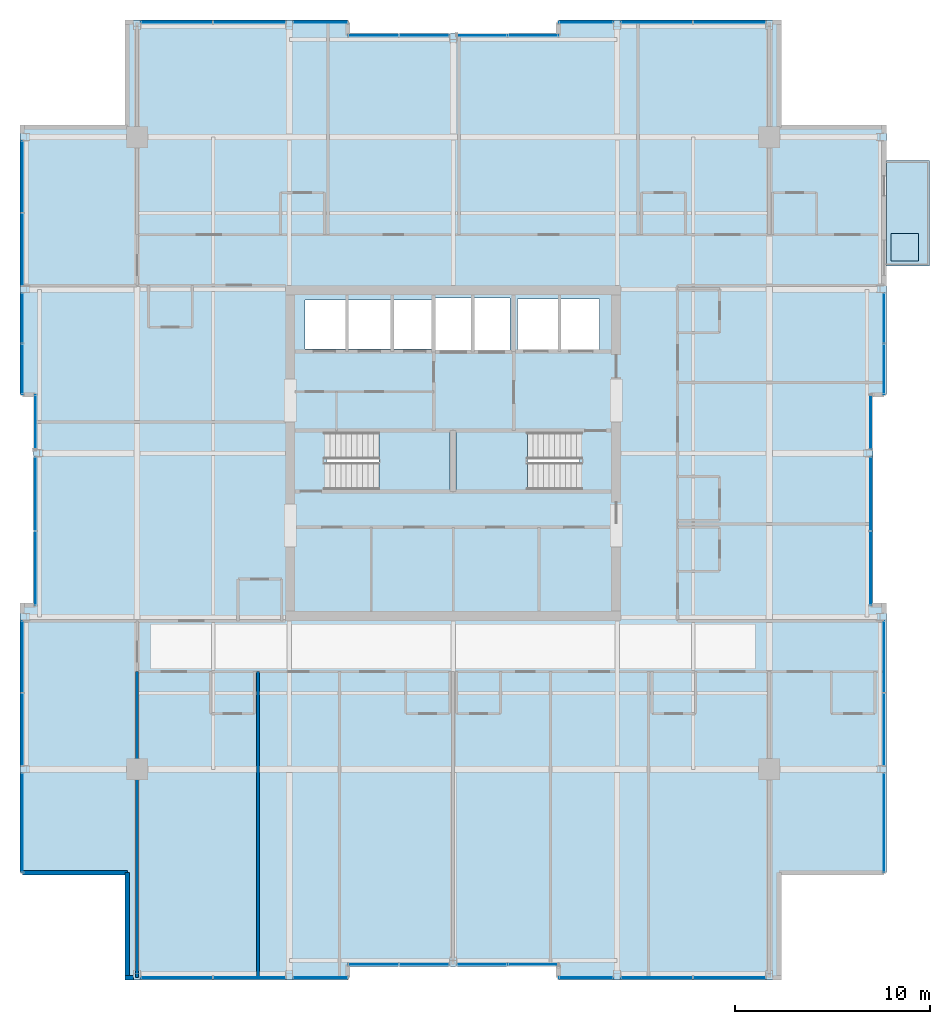
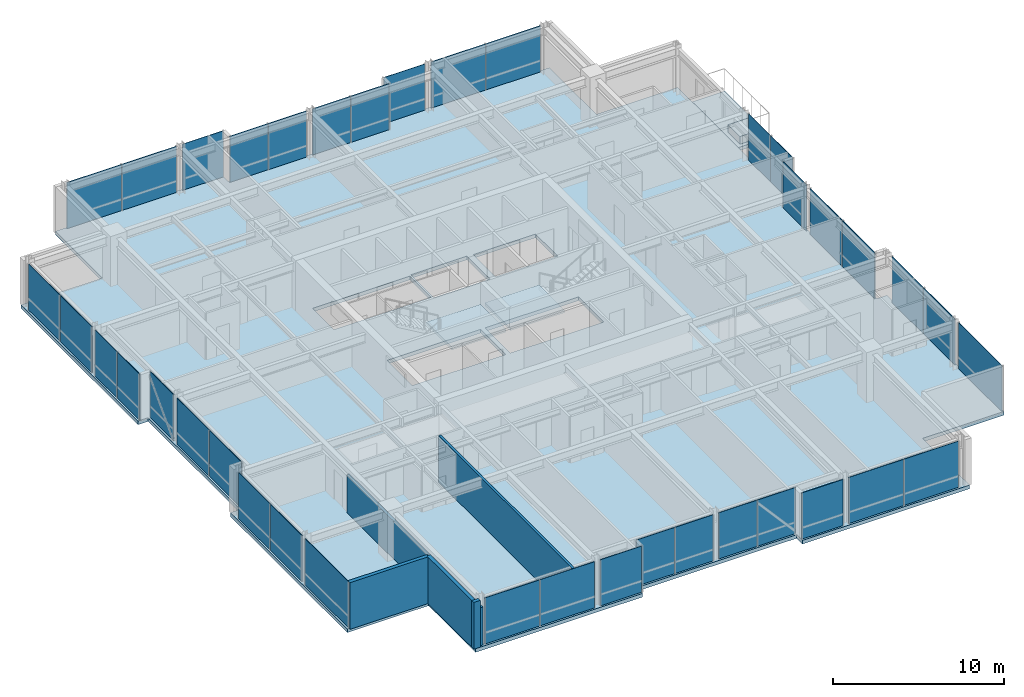
# One storey, part 26 of 33: 38 plates, 5 slabs, 5 walls, 25 elements without a shape of their own.
"""IFC4 building model written with IfcOpenShell, lengths in metres."""

from ifc_helpers import new_model, si_unit, direction, frame, frame_2d, origin, origin_2d, place, context, subcontext, project, spatial, polyline, rectangle, outline, extrude, material, layer, layer_set, type_object, element, aggregate, save


model = new_model("IFC4")

# Units and contexts
model_context = context("Model", 3, precision=1e-05, world=origin(), true_north=direction((0.0, 1.0)))
body_context = subcontext(model_context, "Body", "Model", "MODEL_VIEW")
ifc_project = project(units=[si_unit("LENGTHUNIT", "METRE"), si_unit("AREAUNIT", "SQUARE_METRE"), si_unit("VOLUMEUNIT", "CUBIC_METRE"), si_unit("PLANEANGLEUNIT", "RADIAN"), si_unit("MASSUNIT", "GRAM", prefix="KILO")], contexts=[model_context])

# Site, building, storey
site_placement = place(None, origin())
site = spatial("IfcSite", under=ifc_project, at=site_placement, CompositionType="ELEMENT")
building_placement = place(site_placement, origin())
building = spatial("IfcBuilding", under=site, at=building_placement, Name="Drelvath Grand Hotel", CompositionType="ELEMENT")
storey_placement = place(building_placement, frame((0.0, 0.0, 248.300048828125)))
storey = spatial("IfcBuildingStorey", under=building, at=storey_placement, Name="L65", CompositionType="ELEMENT", Elevation=248.300048828125)

# Slabs
ifc_material_1 = material(Name="Concrete f'c 40 MPa", Category="concrete")
ifc_layer_1 = layer(ifc_material_1, 0.239990234375)
ifc_layer_set_1 = layer_set([ifc_layer_1], Name="Concrete f'c 40 MPa")
slab_type_1 = type_object("IfcSlabType", Name="Cantilevered Tree Balcony Slab 240", PredefinedType="FLOOR", material=ifc_layer_set_1)
slab_1_placement = place(storey_placement, frame((0.0, 0.0, -0.239990234375)))
element("IfcSlab", 1, at=slab_1_placement, inside=storey, type_object=slab_type_1, Name="L65 Cantilevered Tree Balcony Slab 1", PredefinedType="FLOOR", context=body_context, shape_type="SweptSolid", body=[
    extrude(outline(polyline([(22.199951171875, 36.60009765625), (24.39990234375, 36.60009765625), (24.39990234375, 42.0), (22.199951171875, 42.0), (22.199951171875, 36.60009765625)])), origin(), (0.0, 0.0, 1.0), 0.239990234375),
])
ifc_layer_2 = layer(ifc_material_1, 0.260009765625)
ifc_layer_set_2 = layer_set([ifc_layer_2], Name="Concrete f'c 40 MPa")
slab_type_2 = type_object("IfcSlabType", Name="Composite RC Floor Slab 260", PredefinedType="FLOOR", material=ifc_layer_set_2)
slab_2_placement = place(storey_placement, frame((0.0, 0.0, -0.260009765625)))
element("IfcSlab", 2, at=slab_2_placement, inside=storey, type_object=slab_type_2, Name="L65 Structural Floor Slab", PredefinedType="FLOOR", context=body_context, shape_type="SweptSolid", body=[
    extrude(outline(polyline([(-16.699951171875, 0.0), (-5.39990234375, 0.0), (-5.39990234375, 0.679931640625), (5.39990234375, 0.679931640625), (5.39990234375, 0.0), (16.699951171875, 0.0), (16.699951171875, 5.5), (22.199951171875, 5.5), (22.199951171875, 19.199951171875), (21.52001953125, 19.199951171875), (21.52001953125, 30.0), (22.199951171875, 30.0), (22.199951171875, 43.699951171875), (16.699951171875, 43.699951171875), (16.699951171875, 49.199951171875), (5.39990234375, 49.199951171875), (5.39990234375, 48.52001953125), (-5.39990234375, 48.52001953125), (-5.39990234375, 49.199951171875), (-16.699951171875, 49.199951171875), (-16.699951171875, 43.699951171875), (-22.199951171875, 43.699951171875), (-22.199951171875, 30.0), (-21.52001953125, 30.0), (-21.52001953125, 19.199951171875), (-22.199951171875, 19.199951171875), (-22.199951171875, 5.5), (-16.699951171875, 5.5), (-16.699951171875, 0.0)]), holes=[polyline([(-6.47998046875, 25.1201171875), (-6.47998046875, 28.080078125), (-0.14990234375, 28.080078125), (-0.14990234375, 25.1201171875), (-6.47998046875, 25.1201171875)]), polyline([(0.14990234375, 25.1201171875), (0.14990234375, 28.080078125), (6.47998046875, 28.080078125), (6.47998046875, 25.1201171875), (0.14990234375, 25.1201171875)]), polyline([(-7.60009765625, 32.35009765625), (-7.60009765625, 34.85009765625), (-1.02001953125, 34.85009765625), (-1.02001953125, 32.35009765625), (-7.60009765625, 32.35009765625)]), polyline([(-0.89990234375, 32.25), (-0.89990234375, 34.949951171875), (2.89990234375, 34.949951171875), (2.89990234375, 32.25), (-0.89990234375, 32.25)]), polyline([(3.300048828125, 32.300048828125), (3.300048828125, 34.89990234375), (7.5, 34.89990234375), (7.5, 32.300048828125), (3.300048828125, 32.300048828125)])]), origin(), (0.0, 0.0, 1.0), 0.260009765625),
])

# Stair, slab
ifc_material_2 = material(Name="Concrete C40/50", Category="concrete")
stair_type = type_object("IfcStairType", Name="Dogleg Exit Stair W1400-R163.6", PredefinedType="HALF_TURN_STAIR", material=ifc_material_2)
stair_1_placement = place(storey_placement, origin())
stair_1 = element("IfcStair", 3, at=stair_1_placement, inside=storey, type_object=stair_type, Name="L65 Core Exit Stair ST-1", PredefinedType="HALF_TURN_STAIR")
ifc_layer_3 = layer(ifc_material_2, 0.199951171875)
ifc_layer_set_3 = layer_set([ifc_layer_3], Name="Concrete C40/50")
slab_type_3 = type_object("IfcSlabType", Name="Concrete Stair Landing Slab 200", PredefinedType="LANDING", material=ifc_layer_set_3)
slab_3_placement = place(storey_placement, frame((0.0, 0.0, 1.599853515625)))
slab_3 = element("IfcSlab", 4, at=slab_3_placement, type_object=slab_type_3, Name="ST-1 landing 1", PredefinedType="LANDING", context=body_context, shape_type="SweptSolid", body=[
    extrude(outline(polyline([(-3.800048828125, 25.1201171875), (-0.14990234375, 25.1201171875), (-0.14990234375, 28.080078125), (-3.800048828125, 28.080078125), (-3.800048828125, 25.1201171875)])), origin(), (0.0, 0.0, 1.0), 0.2001953125),
])
aggregate(stair_1, [slab_3])

stair_2_placement = place(storey_placement, origin())
stair_2 = element("IfcStair", 5, at=stair_2_placement, inside=storey, type_object=stair_type, Name="L65 Core Exit Stair ST-2", PredefinedType="HALF_TURN_STAIR")
slab_4_placement = place(storey_placement, frame((0.0, 0.0, 1.599853515625)))
slab_4 = element("IfcSlab", 6, at=slab_4_placement, type_object=slab_type_3, Name="ST-2 landing 1", PredefinedType="LANDING", context=body_context, shape_type="SweptSolid", body=[
    extrude(outline(polyline([(3.800048828125, 28.080078125), (0.14990234375, 28.080078125), (0.14990234375, 25.1201171875), (3.800048828125, 25.1201171875), (3.800048828125, 28.080078125)])), origin(), (0.0, 0.0, 1.0), 0.2001953125),
])
aggregate(stair_2, [slab_4])

# Curtain wall, plate
ifc_material_3 = material(Name="Platinum-Mist Anodised Aluminium Frame", Category="aluminium")
ifc_layer_4 = layer(ifc_material_3, 0.199951171875)
ifc_layer_set_4 = layer_set([ifc_layer_4], Name="Platinum-Mist Anodised Aluminium Frame")
curtain_wall_type = type_object("IfcCurtainWallType", Name="Stick Curtain Wall CW-05 Platinum Mist High-Rise", PredefinedType="NOTDEFINED", material=ifc_layer_set_4)
curtain_wall_1_placement = place(storey_placement, origin())
curtain_wall_1 = element("IfcCurtainWall", 7, at=curtain_wall_1_placement, inside=storey, type_object=curtain_wall_type, Name="L65 CW-05 Curtain Wall CW05-L65-WS1", PredefinedType="NOTDEFINED")
ifc_material_4 = material(Name="Low-E Triple Silver High-Altitude Glass", Category="glass")
ifc_layer_5 = layer(ifc_material_4, 0.035888671875)
ifc_layer_set_5 = layer_set([ifc_layer_5], Name="Low-E Triple Silver High-Altitude Glass")
plate_type = type_object("IfcPlateType", Name="Curtain Wall Vision Panel CW-05 36mm", PredefinedType="CURTAIN_PANEL", material=ifc_layer_set_5)
plate_1_placement = place(storey_placement, frame((-22.080078125, 8.060791015625, 0.02001953125), z_axis=(0.0, 0.0, 1.0), x_axis=(0.0, 1.0, 0.0)))
plate_1 = element("IfcPlate", 8, at=plate_1_placement, type_object=plate_type, Name="CW05-L65-WS1 Glazed Panel 1", PredefinedType="CURTAIN_PANEL", context=body_context, shape_type="SweptSolid", body=[
    extrude(rectangle(XDim=5.081787109375, YDim=0.035888671875, at=origin_2d()), origin(), (0.0, 0.0, 1.0), 3.300048828125),
])
aggregate(curtain_wall_1, [plate_1])

# Curtain wall, plates
curtain_wall_2_placement = place(storey_placement, origin())
curtain_wall_2 = element("IfcCurtainWall", 9, at=curtain_wall_2_placement, inside=storey, type_object=curtain_wall_type, Name="L65 CW-05 Curtain Wall CW05-L65-WS2", PredefinedType="NOTDEFINED")
plate_2_placement = place(storey_placement, frame((-22.080078125, 12.839111328125, 0.02001953125), z_axis=(0.0, 0.0, 1.0), x_axis=(0.0, 1.0, 0.0)))
plate_2 = element("IfcPlate", 10, at=plate_2_placement, type_object=plate_type, Name="CW05-L65-WS2 Glazed Panel 1", PredefinedType="CURTAIN_PANEL", context=body_context, shape_type="SweptSolid", body=[
    extrude(rectangle(XDim=3.681884765625, YDim=0.035888671875, at=origin_2d()), origin(), (0.0, 0.0, 1.0), 3.300048828125),
])
plate_3_placement = place(storey_placement, frame((-22.080078125, 16.560791015625, 0.02001953125), z_axis=(0.0, 0.0, 1.0), x_axis=(0.0, 1.0, 0.0)))
plate_3 = element("IfcPlate", 11, at=plate_3_placement, type_object=plate_type, Name="CW05-L65-WS2 Glazed Panel 2", PredefinedType="CURTAIN_PANEL", context=body_context, shape_type="SweptSolid", body=[
    extrude(rectangle(XDim=3.681884765625, YDim=0.035888671875, at=origin_2d()), origin(), (0.0, 0.0, 1.0), 3.300048828125),
])
aggregate(curtain_wall_2, [plate_2, plate_3])

curtain_wall_3_placement = place(storey_placement, origin())
curtain_wall_3 = element("IfcCurtainWall", 12, at=curtain_wall_3_placement, inside=storey, type_object=curtain_wall_type, Name="L65 CW-05 Curtain Wall CW05-L65-WM1", PredefinedType="NOTDEFINED")
plate_4_placement = place(storey_placement, frame((-21.39990234375, 21.10546875, 0.02001953125), z_axis=(0.0, 0.0, 1.0), x_axis=(0.0, 1.0, 0.0)))
plate_4 = element("IfcPlate", 13, at=plate_4_placement, type_object=plate_type, Name="CW05-L65-WM1 Glazed Panel 1", PredefinedType="CURTAIN_PANEL", context=body_context, shape_type="SweptSolid", body=[
    extrude(rectangle(XDim=3.77099609375, YDim=0.035888671875, at=origin_2d()), origin(), (0.0, 0.0, 1.0), 3.300048828125),
])
plate_5_placement = place(storey_placement, frame((-21.39990234375, 24.91650390625, 0.02001953125), z_axis=(0.0, 0.0, 1.0), x_axis=(0.0, 1.0, 0.0)))
plate_5 = element("IfcPlate", 14, at=plate_5_placement, type_object=plate_type, Name="CW05-L65-WM1 Glazed Panel 2", PredefinedType="CURTAIN_PANEL", context=body_context, shape_type="SweptSolid", body=[
    extrude(rectangle(XDim=3.77099609375, YDim=0.035888671875, at=origin_2d()), origin(), (0.0, 0.0, 1.0), 3.300048828125),
])
aggregate(curtain_wall_3, [plate_4, plate_5])

# Curtain wall, plate
curtain_wall_4_placement = place(storey_placement, origin())
curtain_wall_4 = element("IfcCurtainWall", 15, at=curtain_wall_4_placement, inside=storey, type_object=curtain_wall_type, Name="L65 CW-05 Curtain Wall CW05-L65-WM2", PredefinedType="NOTDEFINED")
plate_6_placement = place(storey_placement, frame((-21.39990234375, 28.589111328125, 0.02001953125), z_axis=(0.0, 0.0, 1.0), x_axis=(0.0, 1.0, 0.0)))
plate_6 = element("IfcPlate", 16, at=plate_6_placement, type_object=plate_type, Name="CW05-L65-WM2 Glazed Panel 1", PredefinedType="CURTAIN_PANEL", context=body_context, shape_type="SweptSolid", body=[
    extrude(rectangle(XDim=2.78173828125, YDim=0.035888671875, at=origin_2d()), origin(), (0.0, 0.0, 1.0), 3.300048828125),
])
aggregate(curtain_wall_4, [plate_6])

# Curtain wall, plates
curtain_wall_5_placement = place(storey_placement, origin())
curtain_wall_5 = element("IfcCurtainWall", 17, at=curtain_wall_5_placement, inside=storey, type_object=curtain_wall_type, Name="L65 CW-05 Curtain Wall CW05-L65-WN1", PredefinedType="NOTDEFINED")
plate_7_placement = place(storey_placement, frame((-22.080078125, 31.305419921875, 0.02001953125), z_axis=(0.0, 0.0, 1.0), x_axis=(0.0, 1.0, 0.0)))
plate_7 = element("IfcPlate", 18, at=plate_7_placement, type_object=plate_type, Name="CW05-L65-WN1 Glazed Panel 1", PredefinedType="CURTAIN_PANEL", context=body_context, shape_type="SweptSolid", body=[
    extrude(rectangle(XDim=2.57080078125, YDim=0.035888671875, at=origin_2d()), origin(), (0.0, 0.0, 1.0), 3.300048828125),
])
plate_8_placement = place(storey_placement, frame((-22.080078125, 33.91650390625, 0.02001953125), z_axis=(0.0, 0.0, 1.0), x_axis=(0.0, 1.0, 0.0)))
plate_8 = element("IfcPlate", 19, at=plate_8_placement, type_object=plate_type, Name="CW05-L65-WN1 Glazed Panel 2", PredefinedType="CURTAIN_PANEL", context=body_context, shape_type="SweptSolid", body=[
    extrude(rectangle(XDim=2.57080078125, YDim=0.035888671875, at=origin_2d()), origin(), (0.0, 0.0, 1.0), 3.300048828125),
])
aggregate(curtain_wall_5, [plate_7, plate_8])

curtain_wall_6_placement = place(storey_placement, origin())
curtain_wall_6 = element("IfcCurtainWall", 20, at=curtain_wall_6_placement, inside=storey, type_object=curtain_wall_type, Name="L65 CW-05 Curtain Wall CW05-L65-WN2", PredefinedType="NOTDEFINED")
plate_9_placement = place(storey_placement, frame((-22.080078125, 37.439208984375, 0.02001953125), z_axis=(0.0, 0.0, 1.0), x_axis=(0.0, 1.0, 0.0)))
plate_9 = element("IfcPlate", 21, at=plate_9_placement, type_object=plate_type, Name="CW05-L65-WN2 Glazed Panel 1", PredefinedType="CURTAIN_PANEL", context=body_context, shape_type="SweptSolid", body=[
    extrude(rectangle(XDim=3.681884765625, YDim=0.035888671875, at=origin_2d()), origin(), (0.0, 0.0, 1.0), 3.300048828125),
])
plate_10_placement = place(storey_placement, frame((-22.080078125, 41.160888671875, 0.02001953125), z_axis=(0.0, 0.0, 1.0), x_axis=(0.0, 1.0, 0.0)))
plate_10 = element("IfcPlate", 22, at=plate_10_placement, type_object=plate_type, Name="CW05-L65-WN2 Glazed Panel 2", PredefinedType="CURTAIN_PANEL", context=body_context, shape_type="SweptSolid", body=[
    extrude(rectangle(XDim=3.681884765625, YDim=0.035888671875, at=origin_2d()), origin(), (0.0, 0.0, 1.0), 3.300048828125),
])
aggregate(curtain_wall_6, [plate_9, plate_10])

curtain_wall_7_placement = place(storey_placement, origin())
curtain_wall_7 = element("IfcCurtainWall", 23, at=curtain_wall_7_placement, inside=storey, type_object=curtain_wall_type, Name="L65 CW-05 Curtain Wall CW05-L65-EN1", PredefinedType="NOTDEFINED")
plate_11_placement = place(storey_placement, frame((22.080078125, 33.91650390625, 0.02001953125), z_axis=(0.0, 0.0, 1.0), x_axis=(0.0, -1.0, 0.0)))
plate_11 = element("IfcPlate", 24, at=plate_11_placement, type_object=plate_type, Name="CW05-L65-EN1 Glazed Panel 1", PredefinedType="CURTAIN_PANEL", context=body_context, shape_type="SweptSolid", body=[
    extrude(rectangle(XDim=2.57080078125, YDim=0.035888671875, at=origin_2d()), origin(), (0.0, 0.0, 1.0), 3.300048828125),
])
plate_12_placement = place(storey_placement, frame((22.080078125, 31.305419921875, 0.02001953125), z_axis=(0.0, 0.0, 1.0), x_axis=(0.0, -1.0, 0.0)))
plate_12 = element("IfcPlate", 25, at=plate_12_placement, type_object=plate_type, Name="CW05-L65-EN1 Glazed Panel 2", PredefinedType="CURTAIN_PANEL", context=body_context, shape_type="SweptSolid", body=[
    extrude(rectangle(XDim=2.57080078125, YDim=0.035888671875, at=origin_2d()), origin(), (0.0, 0.0, 1.0), 3.300048828125),
])
aggregate(curtain_wall_7, [plate_11, plate_12])

curtain_wall_8_placement = place(storey_placement, origin())
curtain_wall_8 = element("IfcCurtainWall", 26, at=curtain_wall_8_placement, inside=storey, type_object=curtain_wall_type, Name="L65 CW-05 Curtain Wall CW05-L65-EM1", PredefinedType="NOTDEFINED")
plate_13_placement = place(storey_placement, frame((21.39990234375, 24.91650390625, 0.02001953125), z_axis=(0.0, 0.0, 1.0), x_axis=(0.0, -1.0, 0.0)))
plate_13 = element("IfcPlate", 27, at=plate_13_placement, type_object=plate_type, Name="CW05-L65-EM1 Glazed Panel 1", PredefinedType="CURTAIN_PANEL", context=body_context, shape_type="SweptSolid", body=[
    extrude(rectangle(XDim=3.77099609375, YDim=0.035888671875, at=origin_2d()), origin(), (0.0, 0.0, 1.0), 3.300048828125),
])
plate_14_placement = place(storey_placement, frame((21.39990234375, 21.10546875, 0.02001953125), z_axis=(0.0, 0.0, 1.0), x_axis=(0.0, -1.0, 0.0)))
plate_14 = element("IfcPlate", 28, at=plate_14_placement, type_object=plate_type, Name="CW05-L65-EM1 Glazed Panel 2", PredefinedType="CURTAIN_PANEL", context=body_context, shape_type="SweptSolid", body=[
    extrude(rectangle(XDim=3.77099609375, YDim=0.035888671875, at=origin_2d()), origin(), (0.0, 0.0, 1.0), 3.300048828125),
])
aggregate(curtain_wall_8, [plate_13, plate_14])

# Curtain wall, plate
curtain_wall_9_placement = place(storey_placement, origin())
curtain_wall_9 = element("IfcCurtainWall", 29, at=curtain_wall_9_placement, inside=storey, type_object=curtain_wall_type, Name="L65 CW-05 Curtain Wall CW05-L65-EM2", PredefinedType="NOTDEFINED")
plate_15_placement = place(storey_placement, frame((21.39990234375, 28.589111328125, 0.02001953125), z_axis=(0.0, 0.0, 1.0), x_axis=(0.0, -1.0, 0.0)))
plate_15 = element("IfcPlate", 30, at=plate_15_placement, type_object=plate_type, Name="CW05-L65-EM2 Glazed Panel 1", PredefinedType="CURTAIN_PANEL", context=body_context, shape_type="SweptSolid", body=[
    extrude(rectangle(XDim=2.78173828125, YDim=0.035888671875, at=origin_2d()), origin(), (0.0, 0.0, 1.0), 3.300048828125),
])
aggregate(curtain_wall_9, [plate_15])

curtain_wall_10_placement = place(storey_placement, origin())
curtain_wall_10 = element("IfcCurtainWall", 31, at=curtain_wall_10_placement, inside=storey, type_object=curtain_wall_type, Name="L65 CW-05 Curtain Wall CW05-L65-ES1", PredefinedType="NOTDEFINED")
plate_16_placement = place(storey_placement, frame((22.080078125, 8.060791015625, 0.02001953125), z_axis=(0.0, 0.0, 1.0), x_axis=(0.0, -1.0, 0.0)))
plate_16 = element("IfcPlate", 32, at=plate_16_placement, type_object=plate_type, Name="CW05-L65-ES1 Glazed Panel 1", PredefinedType="CURTAIN_PANEL", context=body_context, shape_type="SweptSolid", body=[
    extrude(rectangle(XDim=5.081787109375, YDim=0.035888671875, at=origin_2d()), origin(), (0.0, 0.0, 1.0), 3.300048828125),
])
aggregate(curtain_wall_10, [plate_16])

# Curtain wall, plates
curtain_wall_11_placement = place(storey_placement, origin())
curtain_wall_11 = element("IfcCurtainWall", 33, at=curtain_wall_11_placement, inside=storey, type_object=curtain_wall_type, Name="L65 CW-05 Curtain Wall CW05-L65-ES2", PredefinedType="NOTDEFINED")
plate_17_placement = place(storey_placement, frame((22.080078125, 16.560791015625, 0.02001953125), z_axis=(0.0, 0.0, 1.0), x_axis=(0.0, -1.0, 0.0)))
plate_17 = element("IfcPlate", 34, at=plate_17_placement, type_object=plate_type, Name="CW05-L65-ES2 Glazed Panel 1", PredefinedType="CURTAIN_PANEL", context=body_context, shape_type="SweptSolid", body=[
    extrude(rectangle(XDim=3.681884765625, YDim=0.035888671875, at=origin_2d()), origin(), (0.0, 0.0, 1.0), 3.300048828125),
])
plate_18_placement = place(storey_placement, frame((22.080078125, 12.839111328125, 0.02001953125), z_axis=(0.0, 0.0, 1.0), x_axis=(0.0, -1.0, 0.0)))
plate_18 = element("IfcPlate", 35, at=plate_18_placement, type_object=plate_type, Name="CW05-L65-ES2 Glazed Panel 2", PredefinedType="CURTAIN_PANEL", context=body_context, shape_type="SweptSolid", body=[
    extrude(rectangle(XDim=3.681884765625, YDim=0.035888671875, at=origin_2d()), origin(), (0.0, 0.0, 1.0), 3.300048828125),
])
aggregate(curtain_wall_11, [plate_17, plate_18])

curtain_wall_12_placement = place(storey_placement, origin())
curtain_wall_12 = element("IfcCurtainWall", 36, at=curtain_wall_12_placement, inside=storey, type_object=curtain_wall_type, Name="L65 CW-05 Curtain Wall CW05-L65-NW2", PredefinedType="NOTDEFINED")
plate_19_placement = place(storey_placement, frame((-14.160888671875, 49.080078125, 0.02001953125), z_axis=(0.0, 0.0, 1.0), x_axis=(1.0, 0.0, 0.0)))
plate_19 = element("IfcPlate", 37, at=plate_19_placement, type_object=plate_type, Name="CW05-L65-NW2 Glazed Panel 1", PredefinedType="CURTAIN_PANEL", context=body_context, shape_type="SweptSolid", body=[
    extrude(rectangle(XDim=3.681884765625, YDim=0.035888671875, at=origin_2d()), origin(), (0.0, 0.0, 1.0), 3.300048828125),
])
plate_20_placement = place(storey_placement, frame((-10.439208984375, 49.080078125, 0.02001953125), z_axis=(0.0, 0.0, 1.0), x_axis=(1.0, 0.0, 0.0)))
plate_20 = element("IfcPlate", 38, at=plate_20_placement, type_object=plate_type, Name="CW05-L65-NW2 Glazed Panel 2", PredefinedType="CURTAIN_PANEL", context=body_context, shape_type="SweptSolid", body=[
    extrude(rectangle(XDim=3.681884765625, YDim=0.035888671875, at=origin_2d()), origin(), (0.0, 0.0, 1.0), 3.300048828125),
])
aggregate(curtain_wall_12, [plate_19, plate_20])

# Curtain wall, plate
curtain_wall_13_placement = place(storey_placement, origin())
curtain_wall_13 = element("IfcCurtainWall", 39, at=curtain_wall_13_placement, inside=storey, type_object=curtain_wall_type, Name="L65 CW-05 Curtain Wall CW05-L65-NW3", PredefinedType="NOTDEFINED")
plate_21_placement = place(storey_placement, frame((-6.810791015625, 49.080078125, 0.02001953125), z_axis=(0.0, 0.0, 1.0), x_axis=(1.0, 0.0, 0.0)))
plate_21 = element("IfcPlate", 40, at=plate_21_placement, type_object=plate_type, Name="CW05-L65-NW3 Glazed Panel 1", PredefinedType="CURTAIN_PANEL", context=body_context, shape_type="SweptSolid", body=[
    extrude(rectangle(XDim=2.78173828125, YDim=0.035888671875, at=origin_2d()), origin(), (0.0, 0.0, 1.0), 3.300048828125),
])
aggregate(curtain_wall_13, [plate_21])

# Curtain wall, plates
curtain_wall_14_placement = place(storey_placement, origin())
curtain_wall_14 = element("IfcCurtainWall", 41, at=curtain_wall_14_placement, inside=storey, type_object=curtain_wall_type, Name="L65 CW-05 Curtain Wall CW05-L65-NM1", PredefinedType="NOTDEFINED")
plate_22_placement = place(storey_placement, frame((-4.094482421875, 48.39990234375, 0.02001953125), z_axis=(0.0, 0.0, 1.0), x_axis=(1.0, 0.0, 0.0)))
plate_22 = element("IfcPlate", 42, at=plate_22_placement, type_object=plate_type, Name="CW05-L65-NM1 Glazed Panel 1", PredefinedType="CURTAIN_PANEL", context=body_context, shape_type="SweptSolid", body=[
    extrude(rectangle(XDim=2.57080078125, YDim=0.035888671875, at=origin_2d()), origin(), (0.0, 0.0, 1.0), 3.300048828125),
])
plate_23_placement = place(storey_placement, frame((-1.483642578125, 48.39990234375, 0.02001953125), z_axis=(0.0, 0.0, 1.0), x_axis=(1.0, 0.0, 0.0)))
plate_23 = element("IfcPlate", 43, at=plate_23_placement, type_object=plate_type, Name="CW05-L65-NM1 Glazed Panel 2", PredefinedType="CURTAIN_PANEL", context=body_context, shape_type="SweptSolid", body=[
    extrude(rectangle(XDim=2.57080078125, YDim=0.035888671875, at=origin_2d()), origin(), (0.0, 0.0, 1.0), 3.300048828125),
])
aggregate(curtain_wall_14, [plate_22, plate_23])

curtain_wall_15_placement = place(storey_placement, origin())
curtain_wall_15 = element("IfcCurtainWall", 44, at=curtain_wall_15_placement, inside=storey, type_object=curtain_wall_type, Name="L65 CW-05 Curtain Wall CW05-L65-NM2", PredefinedType="NOTDEFINED")
plate_24_placement = place(storey_placement, frame((1.483642578125, 48.39990234375, 0.02001953125), z_axis=(0.0, 0.0, 1.0), x_axis=(1.0, 0.0, 0.0)))
plate_24 = element("IfcPlate", 45, at=plate_24_placement, type_object=plate_type, Name="CW05-L65-NM2 Glazed Panel 1", PredefinedType="CURTAIN_PANEL", context=body_context, shape_type="SweptSolid", body=[
    extrude(rectangle(XDim=2.57080078125, YDim=0.035888671875, at=origin_2d()), origin(), (0.0, 0.0, 1.0), 3.300048828125),
])
plate_25_placement = place(storey_placement, frame((4.094482421875, 48.39990234375, 0.02001953125), z_axis=(0.0, 0.0, 1.0), x_axis=(1.0, 0.0, 0.0)))
plate_25 = element("IfcPlate", 46, at=plate_25_placement, type_object=plate_type, Name="CW05-L65-NM2 Glazed Panel 2", PredefinedType="CURTAIN_PANEL", context=body_context, shape_type="SweptSolid", body=[
    extrude(rectangle(XDim=2.57080078125, YDim=0.035888671875, at=origin_2d()), origin(), (0.0, 0.0, 1.0), 3.300048828125),
])
aggregate(curtain_wall_15, [plate_24, plate_25])

# Curtain wall, plate
curtain_wall_16_placement = place(storey_placement, origin())
curtain_wall_16 = element("IfcCurtainWall", 47, at=curtain_wall_16_placement, inside=storey, type_object=curtain_wall_type, Name="L65 CW-05 Curtain Wall CW05-L65-NE1", PredefinedType="NOTDEFINED")
plate_26_placement = place(storey_placement, frame((6.810791015625, 49.080078125, 0.02001953125), z_axis=(0.0, 0.0, 1.0), x_axis=(1.0, 0.0, 0.0)))
plate_26 = element("IfcPlate", 48, at=plate_26_placement, type_object=plate_type, Name="CW05-L65-NE1 Glazed Panel 1", PredefinedType="CURTAIN_PANEL", context=body_context, shape_type="SweptSolid", body=[
    extrude(rectangle(XDim=2.78173828125, YDim=0.035888671875, at=origin_2d()), origin(), (0.0, 0.0, 1.0), 3.300048828125),
])
aggregate(curtain_wall_16, [plate_26])

# Curtain wall, plates
curtain_wall_17_placement = place(storey_placement, origin())
curtain_wall_17 = element("IfcCurtainWall", 49, at=curtain_wall_17_placement, inside=storey, type_object=curtain_wall_type, Name="L65 CW-05 Curtain Wall CW05-L65-NE2", PredefinedType="NOTDEFINED")
plate_27_placement = place(storey_placement, frame((10.439208984375, 49.080078125, 0.02001953125), z_axis=(0.0, 0.0, 1.0), x_axis=(1.0, 0.0, 0.0)))
plate_27 = element("IfcPlate", 50, at=plate_27_placement, type_object=plate_type, Name="CW05-L65-NE2 Glazed Panel 1", PredefinedType="CURTAIN_PANEL", context=body_context, shape_type="SweptSolid", body=[
    extrude(rectangle(XDim=3.681884765625, YDim=0.035888671875, at=origin_2d()), origin(), (0.0, 0.0, 1.0), 3.300048828125),
])
plate_28_placement = place(storey_placement, frame((14.160888671875, 49.080078125, 0.02001953125), z_axis=(0.0, 0.0, 1.0), x_axis=(1.0, 0.0, 0.0)))
plate_28 = element("IfcPlate", 51, at=plate_28_placement, type_object=plate_type, Name="CW05-L65-NE2 Glazed Panel 2", PredefinedType="CURTAIN_PANEL", context=body_context, shape_type="SweptSolid", body=[
    extrude(rectangle(XDim=3.681884765625, YDim=0.035888671875, at=origin_2d()), origin(), (0.0, 0.0, 1.0), 3.300048828125),
])
aggregate(curtain_wall_17, [plate_27, plate_28])

# Curtain wall, plate
curtain_wall_18_placement = place(storey_placement, origin())
curtain_wall_18 = element("IfcCurtainWall", 52, at=curtain_wall_18_placement, inside=storey, type_object=curtain_wall_type, Name="L65 CW-05 Curtain Wall CW05-L65-SE1", PredefinedType="NOTDEFINED")
plate_29_placement = place(storey_placement, frame((6.810791015625, 0.1201171875, 0.02001953125), z_axis=(0.0, 0.0, 1.0), x_axis=(-1.0, 0.0, 0.0)))
plate_29 = element("IfcPlate", 53, at=plate_29_placement, type_object=plate_type, Name="CW05-L65-SE1 Glazed Panel 1", PredefinedType="CURTAIN_PANEL", context=body_context, shape_type="SweptSolid", body=[
    extrude(rectangle(XDim=2.78173828125, YDim=0.035888671875, at=origin_2d()), origin(), (0.0, 0.0, 1.0), 3.300048828125),
])
aggregate(curtain_wall_18, [plate_29])

# Curtain wall, plates
curtain_wall_19_placement = place(storey_placement, origin())
curtain_wall_19 = element("IfcCurtainWall", 54, at=curtain_wall_19_placement, inside=storey, type_object=curtain_wall_type, Name="L65 CW-05 Curtain Wall CW05-L65-SE2", PredefinedType="NOTDEFINED")
plate_30_placement = place(storey_placement, frame((14.160888671875, 0.1201171875, 0.02001953125), z_axis=(0.0, 0.0, 1.0), x_axis=(-1.0, 0.0, 0.0)))
plate_30 = element("IfcPlate", 55, at=plate_30_placement, type_object=plate_type, Name="CW05-L65-SE2 Glazed Panel 1", PredefinedType="CURTAIN_PANEL", context=body_context, shape_type="SweptSolid", body=[
    extrude(rectangle(XDim=3.681884765625, YDim=0.035888671875, at=origin_2d()), origin(), (0.0, 0.0, 1.0), 3.300048828125),
])
plate_31_placement = place(storey_placement, frame((10.439208984375, 0.1201171875, 0.02001953125), z_axis=(0.0, 0.0, 1.0), x_axis=(-1.0, 0.0, 0.0)))
plate_31 = element("IfcPlate", 56, at=plate_31_placement, type_object=plate_type, Name="CW05-L65-SE2 Glazed Panel 2", PredefinedType="CURTAIN_PANEL", context=body_context, shape_type="SweptSolid", body=[
    extrude(rectangle(XDim=3.681884765625, YDim=0.035888671875, at=origin_2d()), origin(), (0.0, 0.0, 1.0), 3.300048828125),
])
aggregate(curtain_wall_19, [plate_30, plate_31])

curtain_wall_20_placement = place(storey_placement, origin())
curtain_wall_20 = element("IfcCurtainWall", 57, at=curtain_wall_20_placement, inside=storey, type_object=curtain_wall_type, Name="L65 CW-05 Curtain Wall CW05-L65-SM1", PredefinedType="NOTDEFINED")
plate_32_placement = place(storey_placement, frame((-1.483642578125, 0.800048828125, 0.02001953125), z_axis=(0.0, 0.0, 1.0), x_axis=(-1.0, 0.0, 0.0)))
plate_32 = element("IfcPlate", 58, at=plate_32_placement, type_object=plate_type, Name="CW05-L65-SM1 Glazed Panel 1", PredefinedType="CURTAIN_PANEL", context=body_context, shape_type="SweptSolid", body=[
    extrude(rectangle(XDim=2.57080078125, YDim=0.035888671875, at=origin_2d()), origin(), (0.0, 0.0, 1.0), 3.300048828125),
])
plate_33_placement = place(storey_placement, frame((-4.094482421875, 0.800048828125, 0.02001953125), z_axis=(0.0, 0.0, 1.0), x_axis=(-1.0, 0.0, 0.0)))
plate_33 = element("IfcPlate", 59, at=plate_33_placement, type_object=plate_type, Name="CW05-L65-SM1 Glazed Panel 2", PredefinedType="CURTAIN_PANEL", context=body_context, shape_type="SweptSolid", body=[
    extrude(rectangle(XDim=2.57080078125, YDim=0.035888671875, at=origin_2d()), origin(), (0.0, 0.0, 1.0), 3.300048828125),
])
aggregate(curtain_wall_20, [plate_32, plate_33])

curtain_wall_21_placement = place(storey_placement, origin())
curtain_wall_21 = element("IfcCurtainWall", 60, at=curtain_wall_21_placement, inside=storey, type_object=curtain_wall_type, Name="L65 CW-05 Curtain Wall CW05-L65-SM2", PredefinedType="NOTDEFINED")
plate_34_placement = place(storey_placement, frame((4.094482421875, 0.800048828125, 0.02001953125), z_axis=(0.0, 0.0, 1.0), x_axis=(-1.0, 0.0, 0.0)))
plate_34 = element("IfcPlate", 61, at=plate_34_placement, type_object=plate_type, Name="CW05-L65-SM2 Glazed Panel 1", PredefinedType="CURTAIN_PANEL", context=body_context, shape_type="SweptSolid", body=[
    extrude(rectangle(XDim=2.57080078125, YDim=0.035888671875, at=origin_2d()), origin(), (0.0, 0.0, 1.0), 3.300048828125),
])
plate_35_placement = place(storey_placement, frame((1.483642578125, 0.800048828125, 0.02001953125), z_axis=(0.0, 0.0, 1.0), x_axis=(-1.0, 0.0, 0.0)))
plate_35 = element("IfcPlate", 62, at=plate_35_placement, type_object=plate_type, Name="CW05-L65-SM2 Glazed Panel 2", PredefinedType="CURTAIN_PANEL", context=body_context, shape_type="SweptSolid", body=[
    extrude(rectangle(XDim=2.57080078125, YDim=0.035888671875, at=origin_2d()), origin(), (0.0, 0.0, 1.0), 3.300048828125),
])
aggregate(curtain_wall_21, [plate_34, plate_35])

curtain_wall_22_placement = place(storey_placement, origin())
curtain_wall_22 = element("IfcCurtainWall", 63, at=curtain_wall_22_placement, inside=storey, type_object=curtain_wall_type, Name="L65 CW-05 Curtain Wall CW05-L65-SW2", PredefinedType="NOTDEFINED")
plate_36_placement = place(storey_placement, frame((-10.439208984375, 0.1201171875, 0.02001953125), z_axis=(0.0, 0.0, 1.0), x_axis=(-1.0, 0.0, 0.0)))
plate_36 = element("IfcPlate", 64, at=plate_36_placement, type_object=plate_type, Name="CW05-L65-SW2 Glazed Panel 1", PredefinedType="CURTAIN_PANEL", context=body_context, shape_type="SweptSolid", body=[
    extrude(rectangle(XDim=3.681884765625, YDim=0.035888671875, at=origin_2d()), origin(), (0.0, 0.0, 1.0), 3.300048828125),
])
plate_37_placement = place(storey_placement, frame((-14.160888671875, 0.1201171875, 0.02001953125), z_axis=(0.0, 0.0, 1.0), x_axis=(-1.0, 0.0, 0.0)))
plate_37 = element("IfcPlate", 65, at=plate_37_placement, type_object=plate_type, Name="CW05-L65-SW2 Glazed Panel 2", PredefinedType="CURTAIN_PANEL", context=body_context, shape_type="SweptSolid", body=[
    extrude(rectangle(XDim=3.681884765625, YDim=0.035888671875, at=origin_2d()), origin(), (0.0, 0.0, 1.0), 3.300048828125),
])
aggregate(curtain_wall_22, [plate_36, plate_37])

# Curtain wall, plate
curtain_wall_23_placement = place(storey_placement, origin())
curtain_wall_23 = element("IfcCurtainWall", 66, at=curtain_wall_23_placement, inside=storey, type_object=curtain_wall_type, Name="L65 CW-05 Curtain Wall CW05-L65-SW3", PredefinedType="NOTDEFINED")
plate_38_placement = place(storey_placement, frame((-6.810791015625, 0.1201171875, 0.02001953125), z_axis=(0.0, 0.0, 1.0), x_axis=(-1.0, 0.0, 0.0)))
plate_38 = element("IfcPlate", 67, at=plate_38_placement, type_object=plate_type, Name="CW05-L65-SW3 Glazed Panel 1", PredefinedType="CURTAIN_PANEL", context=body_context, shape_type="SweptSolid", body=[
    extrude(rectangle(XDim=2.78173828125, YDim=0.035888671875, at=origin_2d()), origin(), (0.0, 0.0, 1.0), 3.300048828125),
])
aggregate(curtain_wall_23, [plate_38])

# Slab
ifc_layer_6 = layer(ifc_material_1, 0.550048828125)
ifc_layer_set_6 = layer_set([ifc_layer_6], Name="Concrete f'c 40 MPa")
slab_type_4 = type_object("IfcSlabType", Name="Structural Tree Planter Box 550", PredefinedType="USERDEFINED", material=ifc_layer_set_6)
slab_5_placement = place(storey_placement, origin())
element("IfcSlab", 68, at=slab_5_placement, inside=storey, type_object=slab_type_4, Name="L65 Tree Balcony Structural Planter 1", ObjectType="PLANTER", PredefinedType="USERDEFINED", context=body_context, shape_type="SweptSolid", body=[
    extrude(outline(polyline([(22.449951171875, 36.85009765625), (23.85009765625, 36.85009765625), (23.85009765625, 38.25), (22.449951171875, 38.25), (22.449951171875, 36.85009765625)])), origin(), (0.0, 0.0, 1.0), 0.550048828125),
])

# Walls
ifc_material_5 = material(Name="Gypsum Acoustic Partition")
ifc_layer_7 = layer(ifc_material_5, 0.14990234375)
ifc_layer_set_7 = layer_set([ifc_layer_7], Name="Gypsum Acoustic Partition")
wall_type_1 = type_object("IfcWallType", Name="Guestroom Demising Wall 150", PredefinedType="PARTITIONING", material=ifc_layer_set_7)
wall_1_placement = place(storey_placement, frame((-10.005859375, 0.1201171875, 0.0), z_axis=(0.0, 0.0, 1.0), x_axis=(0.0, 1.0, 0.0)))
element("IfcWall", 69, at=wall_1_placement, inside=storey, type_object=wall_type_1, Name="L65 South Demising 1", PredefinedType="PARTITIONING", context=body_context, shape_type="SweptSolid", body=[
    extrude(rectangle(XDim=15.679931640625, YDim=0.14990234375, at=frame_2d((7.83984375, 0.0))), origin(), (0.0, 0.0, 1.0), 3.33984375),
])
ifc_layer_8 = layer(ifc_material_5, 0.1650390625)
ifc_layer_set_8 = layer_set([ifc_layer_8], Name="Gypsum Acoustic Partition")
wall_type_2 = type_object("IfcWallType", Name="Suite Demising Wall 165", PredefinedType="PARTITIONING", material=ifc_layer_set_8)
wall_2_placement = place(storey_placement, frame((-16.199951171875, 0.1201171875, 0.0), z_axis=(0.0, 0.0, 1.0), x_axis=(0.0, 1.0, 0.0)))
element("IfcWall", 70, at=wall_2_placement, inside=storey, type_object=wall_type_2, Name="L65 SW Suite Wall", PredefinedType="PARTITIONING", context=body_context, shape_type="SweptSolid", body=[
    extrude(rectangle(XDim=15.679931640625, YDim=0.1650390625, at=frame_2d((7.83984375, 0.0))), origin(), (0.0, 0.0, 1.0), 2.7138671875),
])
ifc_material_6 = material(Name="Pale-Metal Insulated Aluminium Spandrel Assembly", Category="aluminium")
ifc_layer_9 = layer(ifc_material_6, 0.239990234375)
ifc_layer_set_9 = layer_set([ifc_layer_9], Name="Pale-Metal Insulated Aluminium Spandrel Assembly")
wall_type_3 = type_object("IfcWallType", Name="Tower Insulated Metal Spandrel Closure Wall 240", PredefinedType="STANDARD", material=ifc_layer_set_9)
wall_3_placement = place(storey_placement, frame((-16.378173828125, 0.1201171875, 0.0), z_axis=(0.0, 0.0, 1.0), x_axis=(-1.0, 0.0, 0.0)))
element("IfcWall", 71, at=wall_3_placement, inside=storey, type_object=wall_type_3, Name="L65 Corner Pier Spandrel Wall SW1", PredefinedType="STANDARD", context=body_context, shape_type="SweptSolid", body=[
    extrude(rectangle(XDim=0.44189453125, YDim=0.239990234375, at=frame_2d((0.220947265625, 0.0))), origin(), (0.0, 0.0, 1.0), 3.33984375),
])
wall_4_placement = place(storey_placement, frame((-16.699951171875, 0.239990234375, 0.0), z_axis=(0.0, 0.0, 1.0), x_axis=(0.0, 1.0, 0.0)))
element("IfcWall", 72, at=wall_4_placement, inside=storey, type_object=wall_type_3, Name="L65 Notched Corner Return Spandrel Wall CSW1", PredefinedType="STANDARD", context=body_context, shape_type="SweptSolid", body=[
    extrude(rectangle(XDim=5.260009765625, YDim=0.239990234375, at=frame_2d((2.6298828125, 0.0))), origin(), (0.0, 0.0, 1.0), 3.33984375),
])
wall_5_placement = place(storey_placement, frame((-16.699951171875, 5.5, 0.0), z_axis=(0.0, 0.0, 1.0), x_axis=(-1.0, 0.0, 0.0)))
element("IfcWall", 73, at=wall_5_placement, inside=storey, type_object=wall_type_3, Name="L65 Notched Corner Return Spandrel Wall CSW2", PredefinedType="STANDARD", context=body_context, shape_type="SweptSolid", body=[
    extrude(rectangle(XDim=5.380126953125, YDim=0.239990234375, at=frame_2d((2.68994140625, 0.0))), origin(), (0.0, 0.0, 1.0), 3.33984375),
])

save(model, "model.ifc")
